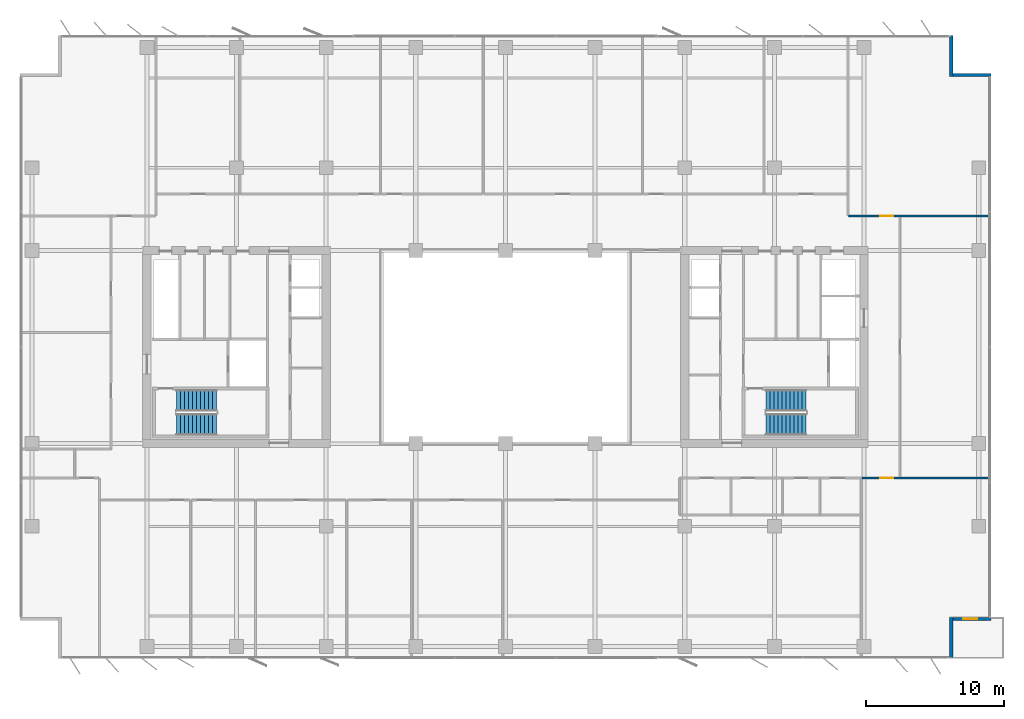
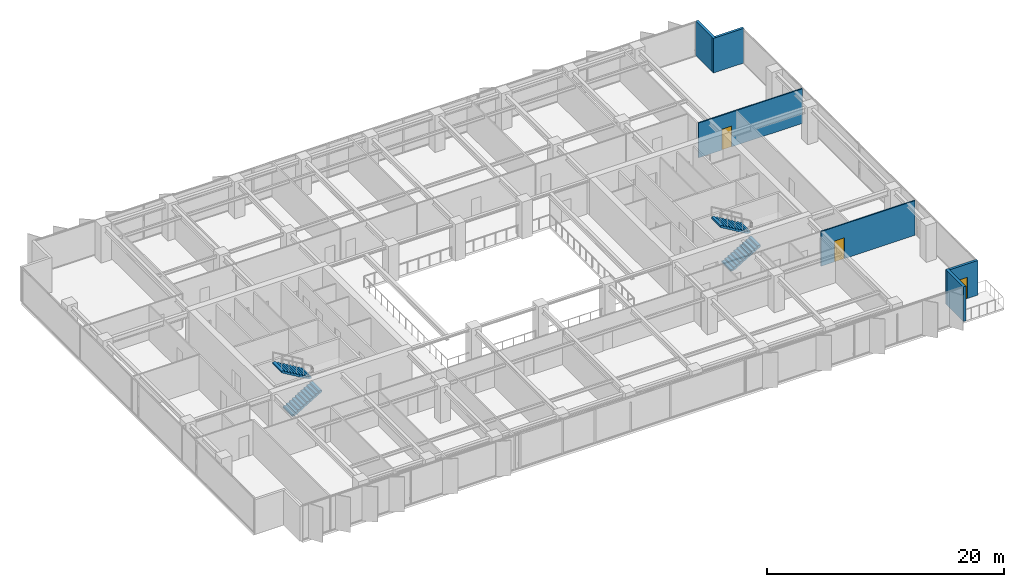
# One storey, part 18 of 22: 6 walls, 4 stair flights, 3 doors, 3 openings, 2 elements without a shape of their own.
"""IFC4 building model written with IfcOpenShell, lengths in metres."""

from ifc_helpers import new_model, si_unit, direction, frame, frame_2d, origin, place, context, subcontext, project, spatial, polyline, rectangle, outline, extrude, material, layer, layer_set, type_object, element, fill, aggregate, save


model = new_model("IFC4")

# Units and contexts
model_context = context("Model", 3, precision=1e-05, world=origin(), true_north=direction((0.0, 1.0)))
body_context = subcontext(model_context, "Body", "Model", "MODEL_VIEW")
ifc_project = project(units=[si_unit("LENGTHUNIT", "METRE"), si_unit("AREAUNIT", "SQUARE_METRE"), si_unit("VOLUMEUNIT", "CUBIC_METRE"), si_unit("PLANEANGLEUNIT", "RADIAN"), si_unit("MASSUNIT", "GRAM", prefix="KILO")], contexts=[model_context])

# Site, building, storey
site_placement = place(None, origin())
site = spatial("IfcSite", under=ifc_project, at=site_placement, CompositionType="ELEMENT")
building_placement = place(site_placement, origin())
building = spatial("IfcBuilding", under=site, at=building_placement, Name="Putna Gate Headquarters", CompositionType="ELEMENT")
storey_placement = place(building_placement, frame((0.0, 0.0, 174.60009765625)))
storey = spatial("IfcBuildingStorey", under=building, at=storey_placement, Name="L43", CompositionType="ELEMENT", Elevation=174.60009765625)

# Walls
ifc_material_1 = material(Name="Precast concrete C40/50", Category="concrete")
ifc_layer_1 = layer(ifc_material_1, 0.239990234375)
ifc_layer_set_1 = layer_set([ifc_layer_1], Name="Precast concrete C40/50")
wall_type_1 = type_object("IfcWallType", Name="WALL-EXT-TERR-240", PredefinedType="STANDARD", material=ifc_layer_set_1)
for number, where, z_axis, x_axis, name in (
    (1, (71.320068359375, 48.60009765625, 0.0), (0.0, 0.0, 1.0), (0.0, -1.0, 0.0), "L43 Corner Notch Return Wall NE-V"),
    (2, (71.199951171875, 45.719970703125, 0.0), (0.0, 0.0, 1.0), (1.0, 0.0, 0.0), "L43 Corner Notch Return Wall NE-H"),
    (3, (71.320068359375, 6.39990234375, 0.0), (0.0, 0.0, 1.0), (0.0, -1.0, 0.0), "L43 Corner Notch Return Wall SE-V"),
):
    element("IfcWall", number, at=place(storey_placement, frame(where, z_axis=z_axis, x_axis=x_axis)), inside=storey, type_object=wall_type_1, Name=name, PredefinedType="STANDARD", context=body_context, shape_type="SweptSolid", body=[
        extrude(rectangle(XDim=3.0, YDim=0.239990234375, at=frame_2d((1.5, 0.0))), origin(), (0.0, 0.0, 1.0), 3.572021484375),
    ])

# Wall, opening, door
wall_1_placement = place(storey_placement, frame((74.199951171875, 6.280029296875, 0.0), z_axis=(0.0, 0.0, 1.0), x_axis=(-1.0, 0.0, 0.0)))
wall_1 = element("IfcWall", 4, at=wall_1_placement, inside=storey, type_object=wall_type_1, Name="L43 Corner Notch Return Wall SE-H", PredefinedType="STANDARD", context=body_context, shape_type="SweptSolid", body=[
    extrude(rectangle(XDim=3.0, YDim=0.239990234375, at=frame_2d((1.5, 0.0))), origin(), (0.0, 0.0, 1.0), 3.572021484375),
])
opening_1_placement = place(wall_1_placement, frame((1.0, 0.0, 0.0)))
opening_1 = element("IfcOpeningElement", 5, at=opening_1_placement, cuts=wall_1, Name="Opening TRD-1", PredefinedType="OPENING", context=body_context, shape_type="SweptSolid", body=[
    extrude(rectangle(XDim=1.0, YDim=2.199951171875, at=frame_2d((0.5, 1.10009765625))), frame((0.0, 0.1298828125, 0.0), z_axis=(0.0, -1.0, 0.0), x_axis=(1.0, 0.0, 0.0)), (0.0, 0.0, 1.0), 0.260009765625),
])
ifc_material_2 = material(Name="Thermally broken bronze glazed terrace door")
door_type_1 = type_object("IfcDoorType", Name="DOOR-TERR-EXT-1000", OperationType="NOTDEFINED", PredefinedType="DOOR", material=ifc_material_2)
door_1_placement = place(opening_1_placement, origin())
door_1 = element("IfcDoor", 6, at=door_1_placement, inside=storey, type_object=door_type_1, Name="L43 Spiral Sky Terrace Door SE", OperationType="SINGLE_SWING_RIGHT", OverallHeight=2.199951171875, OverallWidth=1.0, PredefinedType="DOOR", context=body_context, shape_type="SweptSolid", body=[
    extrude(rectangle(XDim=1.0, YDim=2.199951171875, at=frame_2d((0.5, 1.10009765625))), frame((0.0, 0.02490234375, 0.0), z_axis=(0.0, -1.0, 0.0), x_axis=(1.0, 0.0, 0.0)), (0.0, 0.0, 1.0), 0.050048828125),
])
fill(opening_1, door_1)

ifc_material_3 = material(Name="Fire-rated gypsum board on metal stud")
ifc_layer_2 = layer(ifc_material_3, 0.1201171875)
ifc_layer_set_2 = layer_set([ifc_layer_2], Name="Fire-rated gypsum board on metal stud")
wall_type_2 = type_object("IfcWallType", Name="WALL-PART-120-RATED", PredefinedType="PARTITIONING", material=ifc_layer_set_2)
wall_2_placement = place(storey_placement, frame((63.9033203125, 35.5, 0.0), z_axis=(0.0, 0.0, 1.0), x_axis=(1.0, 0.0, 0.0)))
wall_2 = element("IfcWall", 7, at=wall_2_placement, inside=storey, type_object=wall_type_2, Name="L43 Interior Wall PART-L43-NB-CW-08", PredefinedType="PARTITIONING", context=body_context, shape_type="SweptSolid", body=[
    extrude(rectangle(XDim=10.11669921875, YDim=0.1201171875, at=frame_2d((5.058349609375, 0.0))), origin(), (0.0, 0.0, 1.0), 3.572021484375),
])
opening_2_placement = place(wall_2_placement, frame((2.266845703125, 0.0, 0.0)))
opening_2 = element("IfcOpeningElement", 8, at=opening_2_placement, cuts=wall_2, Name="Opening FD-95", PredefinedType="OPENING", context=body_context, shape_type="SweptSolid", body=[
    extrude(rectangle(XDim=0.949951171875, YDim=2.14990234375, at=frame_2d((0.47509765625, 1.074951171875))), frame((0.0, 0.070068359375, 0.0), z_axis=(0.0, -1.0, 0.0), x_axis=(1.0, 0.0, 0.0)), (0.0, 0.0, 1.0), 0.14013671875),
])
ifc_material_4 = material(Name="Acoustic timber fire door", Category="wood")
door_type_2 = type_object("IfcDoorType", Name="DOOR-FIRE-950", OperationType="NOTDEFINED", PredefinedType="DOOR", material=ifc_material_4)
door_2_placement = place(opening_2_placement, origin())
door_2 = element("IfcDoor", 9, at=door_2_placement, inside=storey, type_object=door_type_2, Name="L43 Conference Meeting Room 5 Door", OperationType="SINGLE_SWING_LEFT", OverallHeight=2.14990234375, OverallWidth=0.949951171875, PredefinedType="DOOR", context=body_context, shape_type="SweptSolid", body=[
    extrude(rectangle(XDim=0.949951171875, YDim=2.14990234375, at=frame_2d((0.47509765625, 1.074951171875))), frame((0.0, 0.02490234375, 0.0), z_axis=(0.0, -1.0, 0.0), x_axis=(1.0, 0.0, 0.0)), (0.0, 0.0, 1.0), 0.050048828125),
])
fill(opening_2, door_2)

wall_3_placement = place(storey_placement, frame((64.860107421875, 16.5, 0.0), z_axis=(0.0, 0.0, 1.0), x_axis=(1.0, 0.0, 0.0)))
wall_3 = element("IfcWall", 10, at=wall_3_placement, inside=storey, type_object=wall_type_2, Name="L43 Interior Wall PART-L43-SB-CW-08", PredefinedType="PARTITIONING", context=body_context, shape_type="SweptSolid", body=[
    extrude(rectangle(XDim=9.159912109375, YDim=0.1201171875, at=frame_2d((4.580078125, 0.0))), origin(), (0.0, 0.0, 1.0), 3.572021484375),
])
opening_3_placement = place(wall_3_placement, frame((1.31005859375, 0.0, 0.0)))
opening_3 = element("IfcOpeningElement", 11, at=opening_3_placement, cuts=wall_3, Name="Opening FD-95", PredefinedType="OPENING", context=body_context, shape_type="SweptSolid", body=[
    extrude(rectangle(XDim=0.949951171875, YDim=2.14990234375, at=frame_2d((0.47509765625, 1.074951171875))), frame((0.0, 0.070068359375, 0.0), z_axis=(0.0, -1.0, 0.0), x_axis=(1.0, 0.0, 0.0)), (0.0, 0.0, 1.0), 0.14013671875),
])
door_3_placement = place(opening_3_placement, origin())
door_3 = element("IfcDoor", 12, at=door_3_placement, inside=storey, type_object=door_type_2, Name="L43 Collaborative Breakout Lounge 2 Door", OperationType="SINGLE_SWING_LEFT", OverallHeight=2.14990234375, OverallWidth=0.949951171875, PredefinedType="DOOR", context=body_context, shape_type="SweptSolid", body=[
    extrude(rectangle(XDim=0.949951171875, YDim=2.14990234375, at=frame_2d((0.47509765625, 1.074951171875))), frame((0.0, 0.02490234375, 0.0), z_axis=(0.0, -1.0, 0.0), x_axis=(1.0, 0.0, 0.0)), (0.0, 0.0, 1.0), 0.050048828125),
])
fill(opening_3, door_3)

# Stair, stair flights
ifc_material_5 = material(Name="Concrete C40/50", Category="concrete")
stair_type_1 = type_object("IfcStairType", Name="STAIR-ST1", PredefinedType="HALF_TURN_STAIR", material=ifc_material_5)
stair_1_placement = place(storey_placement, origin())
stair_1 = element("IfcStair", 13, at=stair_1_placement, inside=storey, type_object=stair_type_1, Name="L43 West Core Exit Stair ST1", PredefinedType="HALF_TURN_STAIR")
stair_flight_type_1 = type_object("IfcStairFlightType", Name="FLIGHT-ST1", PredefinedType="STRAIGHT", material=ifc_material_5)
stair_flight_1_placement = place(storey_placement, frame((15.14990234375, 20.375, 0.0), z_axis=(0.0, 0.0, 1.0), x_axis=(1.0, 0.0, 0.0)))
stair_flight_1 = element("IfcStairFlight", 14, at=stair_flight_1_placement, type_object=stair_flight_type_1, Name="ST1 flight 1", NumberOfRisers=11, NumberOfTreads=10, PredefinedType="STRAIGHT", RiserHeight=0.172727273, TreadLength=0.29, context=body_context, shape_type="SweptSolid", body=[
    extrude(outline(polyline([(0.0, 0.0), (0.0, 0.172607421875), (0.2900390625, 0.172607421875), (0.2900390625, 0.345458984375), (0.580078125, 0.345458984375), (0.580078125, 0.51806640625), (0.8701171875, 0.51806640625), (0.8701171875, 0.69091796875), (1.159912109375, 0.69091796875), (1.159912109375, 0.863525390625), (1.449951171875, 0.863525390625), (1.449951171875, 1.036376953125), (1.739990234375, 1.036376953125), (1.739990234375, 1.208984375), (2.030029296875, 1.208984375), (2.030029296875, 1.3818359375), (2.320068359375, 1.3818359375), (2.320068359375, 1.554443359375), (2.610107421875, 1.554443359375), (2.610107421875, 1.727294921875), (2.89990234375, 1.727294921875), (2.89990234375, 1.89990234375), (2.89990234375, 1.552734375), (0.29296875, 0.0), (0.0, 0.0)])), frame((0.0, 0.77490234375, 0.0), z_axis=(0.0, -1.0, 0.0), x_axis=(1.0, 0.0, 0.0)), (0.0, 0.0, 1.0), 1.550048828125),
])
stair_flight_2_placement = place(storey_placement, frame((18.050048828125, 22.125, 1.89990234375), z_axis=(0.0, 0.0, 1.0), x_axis=(-1.0, 0.0, 0.0)))
stair_flight_2 = element("IfcStairFlight", 15, at=stair_flight_2_placement, type_object=stair_flight_type_1, Name="ST1 flight 2", NumberOfRisers=11, NumberOfTreads=10, PredefinedType="STRAIGHT", RiserHeight=0.172727273, TreadLength=0.29, context=body_context, shape_type="SweptSolid", body=[
    extrude(outline(polyline([(0.0, 0.0), (0.0, 0.172607421875), (0.2900390625, 0.172607421875), (0.2900390625, 0.345458984375), (0.580078125, 0.345458984375), (0.580078125, 0.51806640625), (0.8701171875, 0.51806640625), (0.8701171875, 0.69091796875), (1.159912109375, 0.69091796875), (1.159912109375, 0.863525390625), (1.449951171875, 0.863525390625), (1.449951171875, 1.036376953125), (1.739990234375, 1.036376953125), (1.739990234375, 1.208984375), (2.030029296875, 1.208984375), (2.030029296875, 1.3818359375), (2.320068359375, 1.3818359375), (2.320068359375, 1.554443359375), (2.610107421875, 1.554443359375), (2.610107421875, 1.727294921875), (2.89990234375, 1.727294921875), (2.89990234375, 1.89990234375), (2.89990234375, 1.552734375), (0.29296875, 0.0), (0.0, 0.0)])), frame((0.0, 0.77490234375, 0.0), z_axis=(0.0, -1.0, 0.0), x_axis=(1.0, 0.0, 0.0)), (0.0, 0.0, 1.0), 1.550048828125),
])
aggregate(stair_1, [stair_flight_1, stair_flight_2])

stair_type_2 = type_object("IfcStairType", Name="STAIR-ST2", PredefinedType="HALF_TURN_STAIR", material=ifc_material_5)
stair_2_placement = place(storey_placement, origin())
stair_2 = element("IfcStair", 16, at=stair_2_placement, inside=storey, type_object=stair_type_2, Name="L43 East Core Exit Stair ST2", PredefinedType="HALF_TURN_STAIR")
stair_flight_type_2 = type_object("IfcStairFlightType", Name="FLIGHT-ST2", PredefinedType="STRAIGHT", material=ifc_material_5)
stair_flight_3_placement = place(storey_placement, frame((57.89990234375, 20.375, 0.0), z_axis=(0.0, 0.0, 1.0), x_axis=(1.0, 0.0, 0.0)))
stair_flight_3 = element("IfcStairFlight", 17, at=stair_flight_3_placement, type_object=stair_flight_type_2, Name="ST2 flight 1", NumberOfRisers=11, NumberOfTreads=10, PredefinedType="STRAIGHT", RiserHeight=0.172727273, TreadLength=0.29, context=body_context, shape_type="SweptSolid", body=[
    extrude(outline(polyline([(0.0, 0.0), (0.0, 0.172607421875), (0.2900390625, 0.172607421875), (0.2900390625, 0.345458984375), (0.580078125, 0.345458984375), (0.580078125, 0.51806640625), (0.8701171875, 0.51806640625), (0.8701171875, 0.69091796875), (1.159912109375, 0.69091796875), (1.159912109375, 0.863525390625), (1.449951171875, 0.863525390625), (1.449951171875, 1.036376953125), (1.739990234375, 1.036376953125), (1.739990234375, 1.208984375), (2.030029296875, 1.208984375), (2.030029296875, 1.3818359375), (2.320068359375, 1.3818359375), (2.320068359375, 1.554443359375), (2.610107421875, 1.554443359375), (2.610107421875, 1.727294921875), (2.89990234375, 1.727294921875), (2.89990234375, 1.89990234375), (2.89990234375, 1.552734375), (0.29296875, 0.0), (0.0, 0.0)])), frame((0.0, 0.77490234375, 0.0), z_axis=(0.0, -1.0, 0.0), x_axis=(1.0, 0.0, 0.0)), (0.0, 0.0, 1.0), 1.550048828125),
])
stair_flight_4_placement = place(storey_placement, frame((60.800048828125, 22.125, 1.89990234375), z_axis=(0.0, 0.0, 1.0), x_axis=(-1.0, 0.0, 0.0)))
stair_flight_4 = element("IfcStairFlight", 18, at=stair_flight_4_placement, type_object=stair_flight_type_2, Name="ST2 flight 2", NumberOfRisers=11, NumberOfTreads=10, PredefinedType="STRAIGHT", RiserHeight=0.172727273, TreadLength=0.29, context=body_context, shape_type="SweptSolid", body=[
    extrude(outline(polyline([(0.0, 0.0), (0.0, 0.172607421875), (0.2900390625, 0.172607421875), (0.2900390625, 0.345458984375), (0.580078125, 0.345458984375), (0.580078125, 0.51806640625), (0.8701171875, 0.51806640625), (0.8701171875, 0.69091796875), (1.159912109375, 0.69091796875), (1.159912109375, 0.863525390625), (1.449951171875, 0.863525390625), (1.449951171875, 1.036376953125), (1.739990234375, 1.036376953125), (1.739990234375, 1.208984375), (2.030029296875, 1.208984375), (2.030029296875, 1.3818359375), (2.320068359375, 1.3818359375), (2.320068359375, 1.554443359375), (2.610107421875, 1.554443359375), (2.610107421875, 1.727294921875), (2.89990234375, 1.727294921875), (2.89990234375, 1.89990234375), (2.89990234375, 1.552734375), (0.29296875, 0.0), (0.0, 0.0)])), frame((0.0, 0.77490234375, 0.0), z_axis=(0.0, -1.0, 0.0), x_axis=(1.0, 0.0, 0.0)), (0.0, 0.0, 1.0), 1.550048828125),
])
aggregate(stair_2, [stair_flight_3, stair_flight_4])

save(model, "model.ifc")
